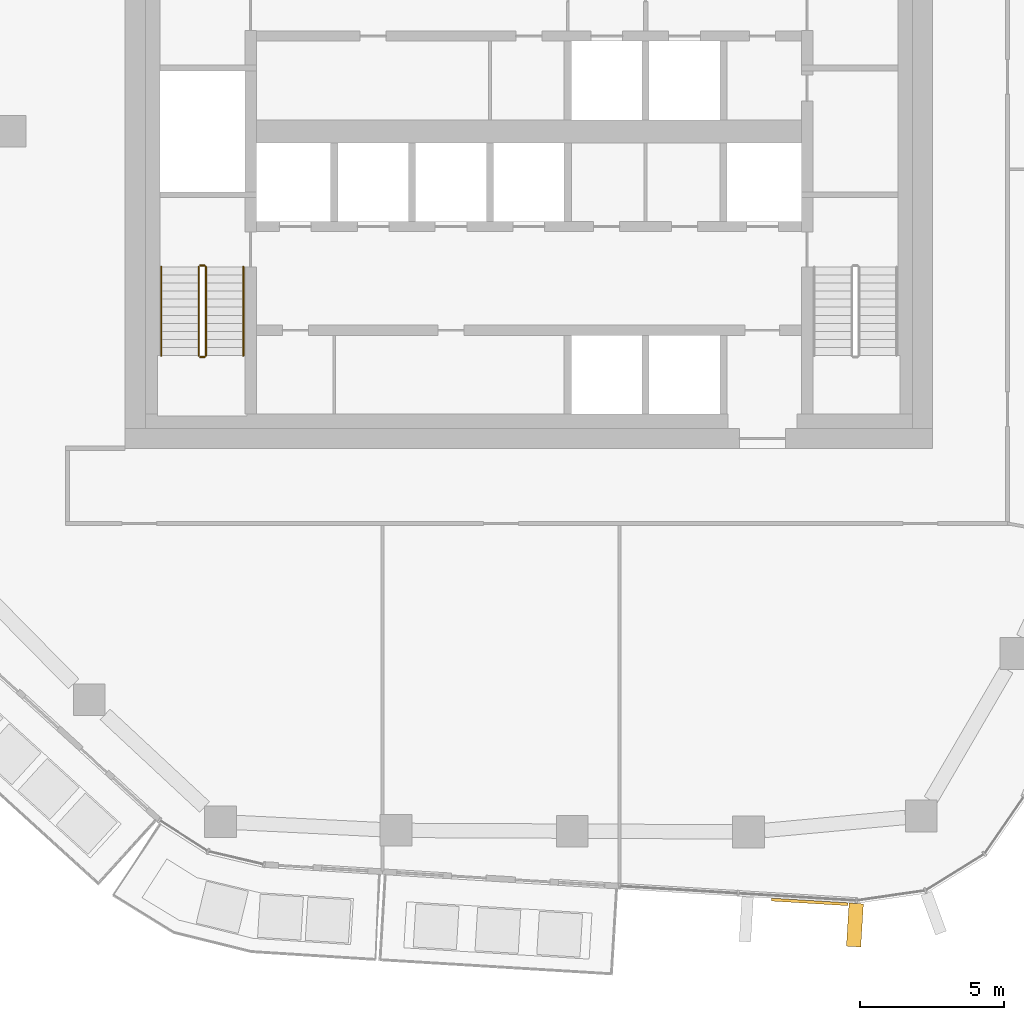
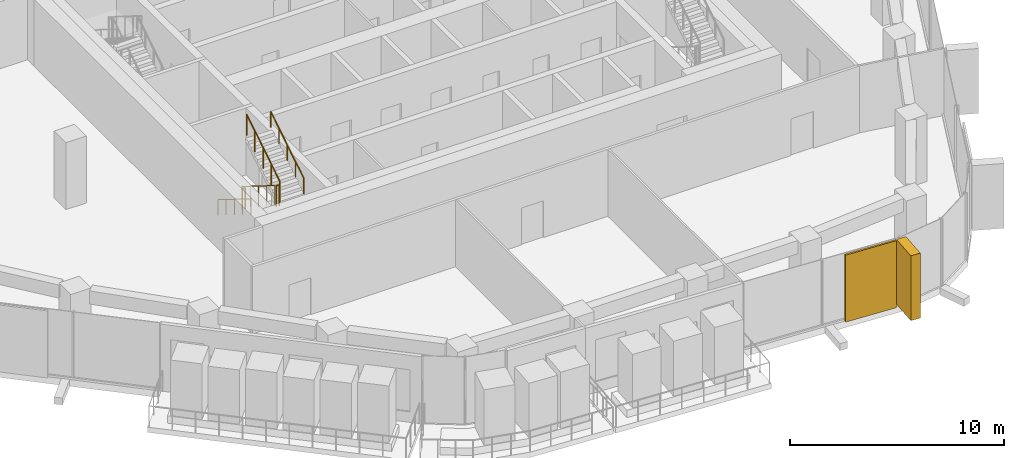
# One storey, part 16 of 20: 6 railings, 2 coverings, 1 element without a shape of its own.
"""IFC4 building model written with IfcOpenShell, lengths in metres."""

from ifc_helpers import new_model, si_unit, direction, frame, origin, origin_2d, place, context, subcontext, project, spatial, rectangle, circle, extrude, material, layer, layer_set, material_profile, profile_set, type_object, element, aggregate, save


model = new_model("IFC4")

# Units and contexts
model_context = context("Model", 3, precision=1e-05, world=origin(), true_north=direction((0.0, 1.0)))
body_context = subcontext(model_context, "Body", "Model", "MODEL_VIEW")
ifc_project = project(units=[si_unit("LENGTHUNIT", "METRE"), si_unit("AREAUNIT", "SQUARE_METRE"), si_unit("VOLUMEUNIT", "CUBIC_METRE"), si_unit("PLANEANGLEUNIT", "RADIAN"), si_unit("MASSUNIT", "GRAM", prefix="KILO")], contexts=[model_context])

# Site, building, storey
site_placement = place(None, origin())
site = spatial("IfcSite", under=ifc_project, at=site_placement, CompositionType="ELEMENT")
building_placement = place(site_placement, origin())
building = spatial("IfcBuilding", under=site, at=building_placement, Name="Dongbaek Canopy Tower", CompositionType="ELEMENT")
storey_placement = place(building_placement, frame((0.0, 0.0, 258.0)))
storey = spatial("IfcBuildingStorey", under=building, at=storey_placement, Name="L54", CompositionType="ELEMENT", Elevation=258.0)

# Curtain wall, coverings
ifc_material_1 = material(Name="Aluminium 6063-T6 pale anodised", Category="aluminium")
ifc_layer_1 = layer(ifc_material_1, 0.199951171875)
ifc_layer_set_1 = layer_set([ifc_layer_1], Name="CW-1 unitised tower curtain wall")
curtain_wall_type = type_object("IfcCurtainWallType", Name="CW-1 unitised tower curtain wall", PredefinedType="NOTDEFINED", material=ifc_layer_set_1)
curtain_wall_placement = place(storey_placement, origin())
curtain_wall = element("IfcCurtainWall", 1, at=curtain_wall_placement, inside=storey, type_object=curtain_wall_type, Name="CW-1 curtain wall F4.1", PredefinedType="NOTDEFINED")
ifc_material_2 = material(Name="Perforated aluminium 6063-T6 pale metal screen", Category="aluminium")
ifc_layer_2 = layer(ifc_material_2, 0.10009765625)
ifc_layer_set_2 = layer_set([ifc_layer_2], Name="Facet screen FS1 100 pale metal")
covering_type_1 = type_object("IfcCoveringType", Name="Facet screen FS1 100 pale metal", PredefinedType="CLADDING", material=ifc_layer_set_2)
covering_1_placement = place(storey_placement, frame((9.736572265625, -26.72802734375, 0.0), z_axis=(0.0, 0.0, 1.0), x_axis=(0.99815329206, -0.060745415873, 0.0)))
covering_1 = element("IfcCovering", 2, at=covering_1_placement, type_object=covering_type_1, Name="Facet screen L54 F4", PredefinedType="CLADDING", context=body_context, shape_type="SweptSolid", body=[
    extrude(rectangle(XDim=2.657470703125, YDim=0.10009765625, at=origin_2d()), origin(), (0.0, 0.0, 1.0), 3.820068359375),
])
ifc_material_3 = material(Name="Aluminium 6063-T6 pale metal fin", Category="aluminium")
ifc_material_profile = material_profile(ifc_material_3, rectangle(XDim=1.5, YDim=0.5, at=origin_2d()), Name="Fin FN1 500 x 1500 pale metal")
ifc_profile_set = profile_set([ifc_material_profile], Name="Aluminium 6063-T6 pale metal fin")
covering_type_2 = type_object("IfcCoveringType", Name="Fin FN1 500 x 1500 pale metal", PredefinedType="CLADDING", material=ifc_profile_set)
covering_2_placement = place(storey_placement, frame((11.309326171875, -27.529052734375, 0.1201171875), z_axis=(0.0, 0.0, 1.0), x_axis=(-0.060746171441, -0.998153246078, 0.0)))
covering_2 = element("IfcCovering", 3, at=covering_2_placement, type_object=covering_type_2, Name="Fin F4.1.3", PredefinedType="CLADDING", context=body_context, shape_type="SweptSolid", body=[
    extrude(rectangle(XDim=1.5, YDim=0.5, at=origin_2d()), origin(), (0.0, 0.0, 1.0), 3.699951171875),
])
aggregate(curtain_wall, [covering_2, covering_1])

# Railings
ifc_material_4 = material(Name="Stainless steel tube and balusters", Category="steel")
railing_type_1 = type_object("IfcRailingType", Name="Stair guard 1200", PredefinedType="GUARDRAIL", material=ifc_material_4)
railing_1_placement = place(storey_placement, frame((-11.449951171875, -4.699951171875, 0.175048828125)))
element("IfcRailing", 4, at=railing_1_placement, inside=storey, type_object=railing_type_1, Name="L54 ST-D stair guard 1", PredefinedType="GUARDRAIL", context=body_context, shape_type="SweptSolid", body=[
    extrude(circle(Radius=0.02392578125, at=origin_2d()), frame((0.0, 0.0, 1.17578125), z_axis=(0.0, -0.847998304005, 0.529998940003), x_axis=(1.0, 0.0, 0.0)), (0.0, 0.0, 1.0), 3.632080078125),
    extrude(circle(Radius=0.02099609375, at=origin_2d()), origin(), (0.0, 0.0, 1.0), 1.15185546875),
    extrude(circle(Radius=0.02099609375, at=origin_2d()), frame((0.0, -0.77001953125, 0.481201171875)), (0.0, 0.0, 1.0), 1.15185546875),
    extrude(circle(Radius=0.02099609375, at=origin_2d()), frame((0.0, -1.5400390625, 0.96240234375)), (0.0, 0.0, 1.0), 1.15185546875),
    extrude(circle(Radius=0.02099609375, at=origin_2d()), frame((0.0, -2.31005859375, 1.44384765625)), (0.0, 0.0, 1.0), 1.15185546875),
    extrude(circle(Radius=0.02099609375, at=origin_2d()), frame((0.0, -3.080078125, 1.925048828125)), (0.0, 0.0, 1.0), 1.15185546875),
])
railing_2_placement = place(storey_placement, frame((-11.39990234375, -7.830078125, 2.10009765625)))
element("IfcRailing", 5, at=railing_2_placement, inside=storey, type_object=railing_type_1, Name="L54 ST-D stair guard 2", PredefinedType="GUARDRAIL", context=body_context, shape_type="SweptSolid", body=[
    extrude(circle(Radius=0.02392578125, at=origin_2d()), frame((0.0, 0.0, 1.17578125), z_axis=(1.0, 0.0, 0.0), x_axis=(0.0, 1.0, 0.0)), (0.0, 0.0, 1.0), 0.14990234375),
    extrude(circle(Radius=0.02099609375, at=origin_2d()), origin(), (0.0, 0.0, 1.0), 1.15185546875),
    extrude(circle(Radius=0.02099609375, at=origin_2d()), frame((0.14990234375, 0.0, 0.0)), (0.0, 0.0, 1.0), 1.15185546875),
])
railing_3_placement = place(storey_placement, frame((-11.199951171875, -7.780029296875, 2.27490234375)))
element("IfcRailing", 6, at=railing_3_placement, inside=storey, type_object=railing_type_1, Name="L54 ST-D stair guard 3", PredefinedType="GUARDRAIL", context=body_context, shape_type="SweptSolid", body=[
    extrude(circle(Radius=0.02392578125, at=origin_2d()), frame((0.0, 0.0, 1.17578125), z_axis=(0.0, 0.847998304005, 0.529998940003), x_axis=(-1.0, 0.0, 0.0)), (0.0, 0.0, 1.0), 3.632080078125),
    extrude(circle(Radius=0.02099609375, at=origin_2d()), origin(), (0.0, 0.0, 1.0), 1.15185546875),
    extrude(circle(Radius=0.02099609375, at=origin_2d()), frame((0.0, 0.77001953125, 0.481201171875)), (0.0, 0.0, 1.0), 1.15185546875),
    extrude(circle(Radius=0.02099609375, at=origin_2d()), frame((0.0, 1.5400390625, 0.96240234375)), (0.0, 0.0, 1.0), 1.15185546875),
    extrude(circle(Radius=0.02099609375, at=origin_2d()), frame((0.0, 2.31005859375, 1.44384765625)), (0.0, 0.0, 1.0), 1.15185546875),
    extrude(circle(Radius=0.02099609375, at=origin_2d()), frame((0.0, 3.080078125, 1.925048828125)), (0.0, 0.0, 1.0), 1.15185546875),
])
railing_4_placement = place(storey_placement, frame((-11.39990234375, -4.64990234375, 0.0)))
element("IfcRailing", 7, at=railing_4_placement, inside=storey, type_object=railing_type_1, Name="L54 ST-D stair guard 4", PredefinedType="GUARDRAIL", context=body_context, shape_type="SweptSolid", body=[
    extrude(circle(Radius=0.02392578125, at=origin_2d()), frame((0.0, 0.0, 1.17578125), z_axis=(1.0, 0.0, 0.0), x_axis=(0.0, 1.0, 0.0)), (0.0, 0.0, 1.0), 0.14990234375),
    extrude(circle(Radius=0.02099609375, at=origin_2d()), origin(), (0.0, 0.0, 1.0), 1.15185546875),
    extrude(circle(Radius=0.02099609375, at=origin_2d()), frame((0.14990234375, 0.0, 0.0)), (0.0, 0.0, 1.0), 1.15185546875),
])
ifc_material_5 = material(Name="Stainless steel tube", Category="steel")
railing_type_2 = type_object("IfcRailingType", Name="Stair handrail 900", PredefinedType="HANDRAIL", material=ifc_material_5)
railing_5_placement = place(storey_placement, frame((-12.75, -4.699951171875, 0.175048828125)))
element("IfcRailing", 8, at=railing_5_placement, inside=storey, type_object=railing_type_2, Name="L54 ST-D stair handrail 1", PredefinedType="HANDRAIL", context=body_context, shape_type="SweptSolid", body=[
    extrude(circle(Radius=0.02392578125, at=origin_2d()), frame((0.0, 0.0, 0.8759765625), z_axis=(0.0, -0.847998304005, 0.529998940003), x_axis=(1.0, 0.0, 0.0)), (0.0, 0.0, 1.0), 3.632080078125),
    extrude(circle(Radius=0.02099609375, at=origin_2d()), origin(), (0.0, 0.0, 1.0), 0.851806640625),
    extrude(circle(Radius=0.02099609375, at=origin_2d()), frame((0.0, -0.77001953125, 0.481201171875)), (0.0, 0.0, 1.0), 0.851806640625),
    extrude(circle(Radius=0.02099609375, at=origin_2d()), frame((0.0, -1.5400390625, 0.96240234375)), (0.0, 0.0, 1.0), 0.851806640625),
    extrude(circle(Radius=0.02099609375, at=origin_2d()), frame((0.0, -2.31005859375, 1.44384765625)), (0.0, 0.0, 1.0), 0.851806640625),
    extrude(circle(Radius=0.02099609375, at=origin_2d()), frame((0.0, -3.080078125, 1.925048828125)), (0.0, 0.0, 1.0), 0.851806640625),
])
railing_6_placement = place(storey_placement, frame((-9.89990234375, -7.780029296875, 2.27490234375)))
element("IfcRailing", 9, at=railing_6_placement, inside=storey, type_object=railing_type_2, Name="L54 ST-D stair handrail 2", PredefinedType="HANDRAIL", context=body_context, shape_type="SweptSolid", body=[
    extrude(circle(Radius=0.02392578125, at=origin_2d()), frame((0.0, 0.0, 0.8759765625), z_axis=(0.0, 0.847998304005, 0.529998940003), x_axis=(-1.0, 0.0, 0.0)), (0.0, 0.0, 1.0), 3.632080078125),
    extrude(circle(Radius=0.02099609375, at=origin_2d()), origin(), (0.0, 0.0, 1.0), 0.851806640625),
    extrude(circle(Radius=0.02099609375, at=origin_2d()), frame((0.0, 0.77001953125, 0.481201171875)), (0.0, 0.0, 1.0), 0.851806640625),
    extrude(circle(Radius=0.02099609375, at=origin_2d()), frame((0.0, 1.5400390625, 0.96240234375)), (0.0, 0.0, 1.0), 0.851806640625),
    extrude(circle(Radius=0.02099609375, at=origin_2d()), frame((0.0, 2.31005859375, 1.44384765625)), (0.0, 0.0, 1.0), 0.851806640625),
    extrude(circle(Radius=0.02099609375, at=origin_2d()), frame((0.0, 3.080078125, 1.925048828125)), (0.0, 0.0, 1.0), 0.851806640625),
])

save(model, "model.ifc")
